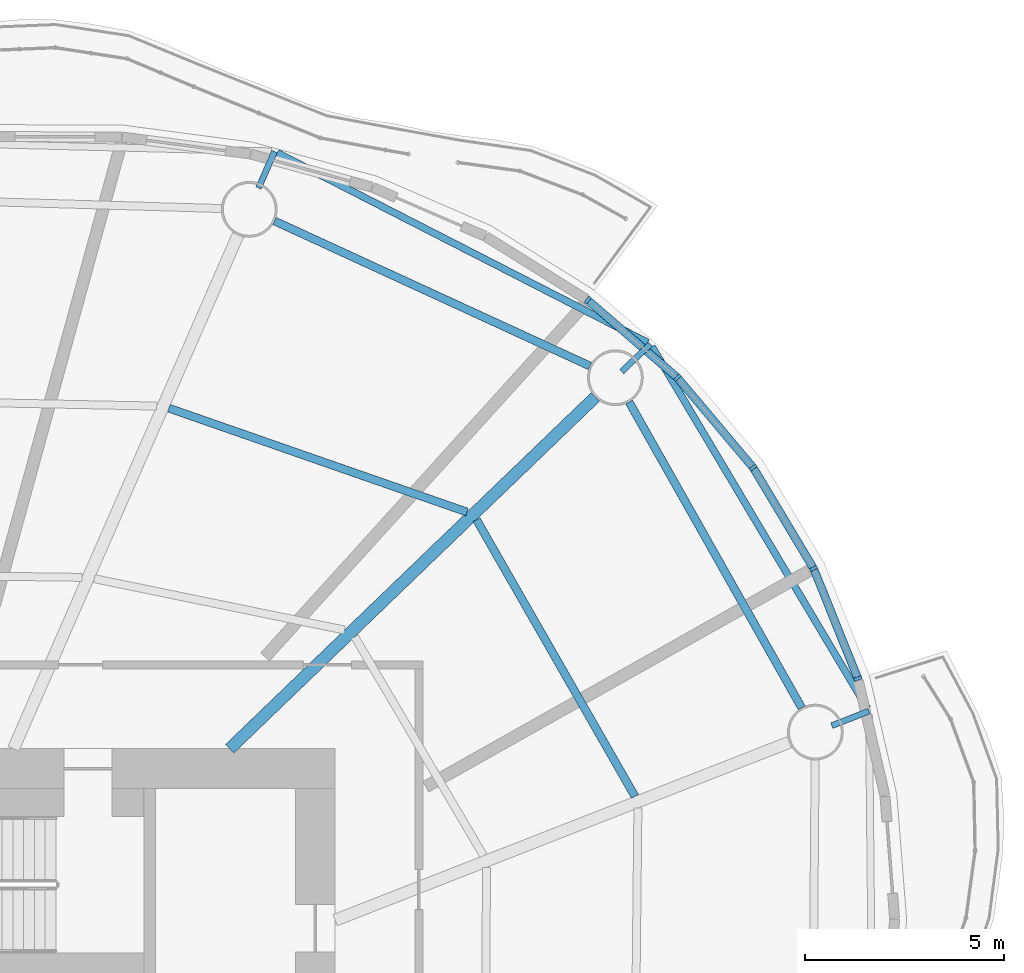
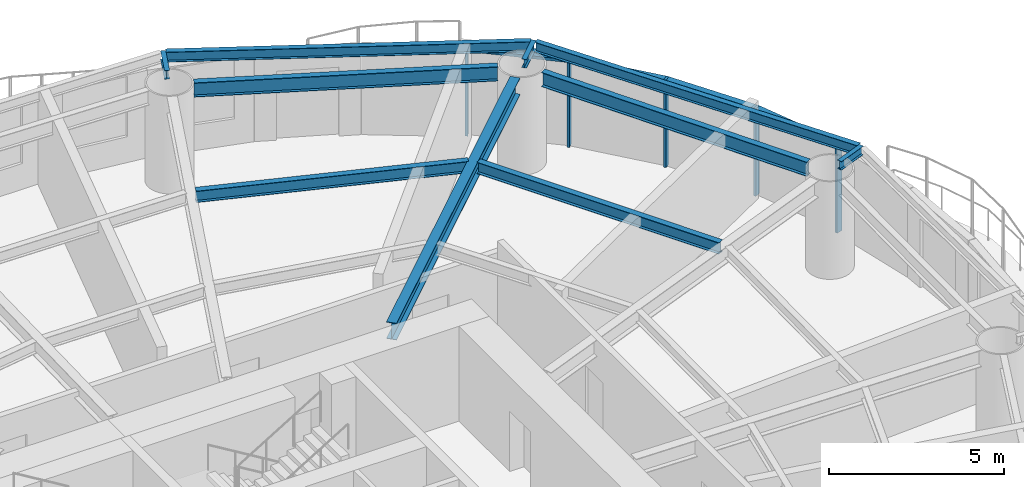
# One storey, part 6 of 15: 10 beams, 9 members, 4 elements without a shape of their own.
"""IFC4 building model written with IfcOpenShell, lengths in metres."""

import ifcopenshell
import ifcopenshell.guid

model = None  # the IFC model being written
_history = None  # IfcOwnerHistory: only IFC2X3 demands one
_inside = {}  # id of a spatial element -> (the spatial element, [elements in it])
_under = {}  # id of a project, library or spatial element -> (it, [spatial elements below it])
_declared = {}  # id of a project -> (the project, [libraries it declares])
_typed = {}  # id of a type object -> (the type object, [elements of that type])
_made_of = {}  # id of a material, layer set ... -> (it, [elements and type objects made of it])


def new_model(schema):
    """Start an empty IFC model of exactly this schema.

    Asked for "IFC4X3", IfcOpenShell would pick the latest addendum, in which some entities
    have other attributes; the version numbers below select the first issue.
    IFC2X3 requires an IfcOwnerHistory on every rooted entity: one is made here for all.
    """
    global model, _history
    if schema == "IFC4X3":
        model = ifcopenshell.file(schema_version=(4, 3, 0, 0))
    else:
        model = ifcopenshell.file(schema=schema)
    _inside.clear()
    _under.clear()
    _declared.clear()
    _typed.clear()
    _made_of.clear()
    _history = None
    if model.schema == "IFC2X3":
        org = make("IfcOrganization", Name="unknown")
        user = make(
            "IfcPersonAndOrganization",
            ThePerson=make("IfcPerson", FamilyName="unknown"),
            TheOrganization=org,
        )
        app = make(
            "IfcApplication",
            ApplicationDeveloper=org,
            Version="unknown",
            ApplicationFullName="unknown",
            ApplicationIdentifier="unknown",
        )
        _history = make(
            "IfcOwnerHistory",
            OwningUser=user,
            OwningApplication=app,
            ChangeAction="ADDED",
            CreationDate=0,
        )
    return model


def make(cls, **values):
    """One entity of the class cls with the attributes given. An attribute that is None is left unset."""
    return model.create_entity(
        cls, **{name: value for name, value in values.items() if value is not None}
    )


def rooted(cls, **values):
    """An entity with a GlobalId (a new one), such as an element, a storey or a relation."""
    return make(cls, GlobalId=ifcopenshell.guid.new(), OwnerHistory=_history, **values)


def si_unit(unit_type, name, prefix=None):
    """IfcSIUnit, for example si_unit("LENGTHUNIT", "METRE", prefix="MILLI")."""
    return make("IfcSIUnit", UnitType=unit_type, Prefix=prefix, Name=name)


def assignment(units):
    """IfcUnitAssignment: the units of a project."""
    return None if units is None else make("IfcUnitAssignment", Units=units)


def point(xyz):
    """IfcCartesianPoint."""
    return None if xyz is None else make("IfcCartesianPoint", Coordinates=xyz)


def direction(xyz):
    """IfcDirection."""
    return None if xyz is None else make("IfcDirection", DirectionRatios=xyz)


def frame(location, z_axis=None, x_axis=None):
    """IfcAxis2Placement3D, a coordinate frame: its origin and axes. An axis left out is left unset."""
    return make(
        "IfcAxis2Placement3D",
        Location=point(location),
        Axis=direction(z_axis),
        RefDirection=direction(x_axis),
    )


def frame_2d(location, x_axis=None):
    """IfcAxis2Placement2D, a coordinate frame in the plane: its origin and x axis."""
    return make(
        "IfcAxis2Placement2D", Location=point(location), RefDirection=direction(x_axis)
    )


def origin():
    """The frame at (0, 0, 0) with its axes left unset."""
    return frame((0.0, 0.0, 0.0))


def origin_2d():
    """The frame at (0, 0) in the plane with its x axis left unset."""
    return frame_2d((0.0, 0.0))


def place(relative_to, where):
    """IfcLocalPlacement: puts the frame where relative to a parent placement (None: the world)."""
    return make(
        "IfcLocalPlacement", PlacementRelTo=relative_to, RelativePlacement=where
    )


def context(
    kind, dimensions, precision=None, world=None, true_north=None, identifier=None
):
    """IfcGeometricRepresentationContext, for example the 3D "Model" context."""
    return make(
        "IfcGeometricRepresentationContext",
        ContextIdentifier=identifier,
        ContextType=kind,
        CoordinateSpaceDimension=dimensions,
        Precision=precision,
        WorldCoordinateSystem=world,
        TrueNorth=true_north,
    )


def subcontext(parent, identifier, kind, view, scale=None):
    """IfcGeometricRepresentationSubContext, for example "Body" below "Model"."""
    return make(
        "IfcGeometricRepresentationSubContext",
        ContextIdentifier=identifier,
        ContextType=kind,
        ParentContext=parent,
        TargetScale=scale,
        TargetView=view,
    )


def project(units=None, contexts=None):
    """IfcProject with its units and contexts."""
    return rooted(
        "IfcProject",
        Name="project",
        RepresentationContexts=contexts,
        UnitsInContext=assignment(units),
    )


def spatial(cls, under=None, at=None, **own):
    """A site, building, storey or space (cls), placed at a placement, below another one or the project."""
    s = rooted(cls, ObjectPlacement=at, **own)
    if under is not None:
        _under.setdefault(under.id(), (under, []))[1].append(s)
    return s


def profile(cls, at=None, kind="AREA", **sizes):
    """A parametric profile (cls). Its sizes go by their IFC names, for example OverallWidth=200.0."""
    return make(cls, ProfileType=kind, Position=at, **sizes)


def rectangle(**sizes):
    """IfcRectangleProfileDef."""
    return profile("IfcRectangleProfileDef", **sizes)


def i_section(**sizes):
    """IfcIShapeProfileDef."""
    return profile("IfcIShapeProfileDef", **sizes)


def extrude(swept, where, along, depth):
    """IfcExtrudedAreaSolid: the profile swept, set in the frame where, extruded along a direction by depth."""
    return make(
        "IfcExtrudedAreaSolid",
        SweptArea=swept,
        Position=where,
        ExtrudedDirection=direction(along),
        Depth=depth,
    )


def shape(context_of_items, identifier, shape_type, items):
    """IfcShapeRepresentation: the items that make up one representation, for example the "Body"."""
    return make(
        "IfcShapeRepresentation",
        ContextOfItems=context_of_items,
        RepresentationIdentifier=identifier,
        RepresentationType=shape_type,
        Items=items,
    )


def material(Name=None, Category=None):
    """IfcMaterial."""
    return make("IfcMaterial", Name=Name, Category=Category)


def material_profile(
    of_material, cross_section, Name=None, Category=None, Priority=None
):
    """IfcMaterialProfile: a cross section and its material."""
    return make(
        "IfcMaterialProfile",
        Name=Name,
        Material=of_material,
        Profile=cross_section,
        Priority=Priority,
        Category=Category,
    )


def profile_set(profiles, Name=None, composite=None):
    """IfcMaterialProfileSet."""
    return make(
        "IfcMaterialProfileSet",
        Name=Name,
        MaterialProfiles=profiles,
        CompositeProfile=composite,
    )


def made_of(thing, what):
    """Note that an element or type object is made of a material, layer set ...; save() writes the relation."""
    if what is not None:
        _made_of.setdefault(what.id(), (what, []))[1].append(thing)
    return thing


def type_object(cls, material=None, **own):
    """A type object (cls), such as IfcWallType, which elements share."""
    return made_of(rooted(cls, **own), material)


def element(
    cls,
    number,
    at=None,
    inside=None,
    cuts=None,
    type_object=None,
    material=None,
    context=None,
    identifier="Body",
    shape_type=None,
    held_by="IfcProductDefinitionShape",
    body=None,
    shapes=None,
    **own,
):
    """One element of the class cls, such as IfcWall. Its Tag is "e" and its number.

    at: its placement. inside: the storey or other place that contains it. cuts: it is an
    opening in that element (IfcRelVoidsElement). A single representation is given by context,
    identifier, shape_type and body (its items); several are given by shapes. held_by: the class
    of the entity that holds the representations. save() writes the other relations.
    """
    e = rooted(cls, Tag="e%d" % number, ObjectPlacement=at, **own)
    if body is not None:
        shapes = [shape(context, identifier, shape_type, body)]
    if shapes is not None:
        e.Representation = make(held_by, Representations=shapes)
    if inside is not None:
        _inside.setdefault(inside.id(), (inside, []))[1].append(e)
    if cuts is not None:
        rooted(
            "IfcRelVoidsElement", RelatingBuildingElement=cuts, RelatedOpeningElement=e
        )
    if type_object is not None:
        _typed.setdefault(type_object.id(), (type_object, []))[1].append(e)
    return made_of(e, material)


def aggregate(whole, parts):
    """IfcRelAggregates: a whole, such as a stair, and the parts it consists of."""
    return rooted("IfcRelAggregates", RelatingObject=whole, RelatedObjects=parts)


def save(model, path):
    """Write the relations noted so far, then the file.

    IfcRelAggregates (storeys below a building ...), IfcRelContainedInSpatialStructure (elements
    in a storey), IfcRelDefinesByType, IfcRelAssociatesMaterial and IfcRelDeclares: one each for
    every whole, place, type object, material and project.
    """
    for whole, parts in _under.values():
        aggregate(whole, parts)
    for where, things in _inside.values():
        rooted(
            "IfcRelContainedInSpatialStructure",
            RelatedElements=things,
            RelatingStructure=where,
        )
    for kind, things in _typed.values():
        rooted("IfcRelDefinesByType", RelatedObjects=things, RelatingType=kind)
    for what, things in _made_of.values():
        rooted("IfcRelAssociatesMaterial", RelatedObjects=things, RelatingMaterial=what)
    for by, libraries in _declared.values():
        rooted("IfcRelDeclares", RelatingContext=by, RelatedDefinitions=libraries)
    model.write(path)


model = new_model("IFC4")

# Units and contexts
model_context = context("Model", 3, precision=1e-05, world=origin(), true_north=direction((0.0, 1.0)))
body_context = subcontext(model_context, "Body", "Model", "MODEL_VIEW")
ifc_project = project(units=[si_unit("LENGTHUNIT", "METRE"), si_unit("AREAUNIT", "SQUARE_METRE"), si_unit("VOLUMEUNIT", "CUBIC_METRE"), si_unit("PLANEANGLEUNIT", "RADIAN"), si_unit("MASSUNIT", "GRAM", prefix="KILO")], contexts=[model_context])

# Site, building, storey
site_placement = place(None, origin())
site = spatial("IfcSite", under=ifc_project, at=site_placement, CompositionType="ELEMENT")
building_placement = place(site_placement, origin())
building = spatial("IfcBuilding", under=site, at=building_placement, Name="Vermilion Reach Broadcast Tower", CompositionType="ELEMENT")
storey_placement = place(building_placement, frame((0.0, 0.0, 175.800048828125)))
storey = spatial("IfcBuildingStorey", under=building, at=storey_placement, Name="L42", CompositionType="ELEMENT", Elevation=175.800048828125)

# Beams
ifc_material_1 = material(Name="Steel S355J2", Category="steel")
ifc_material_profile_1 = material_profile(ifc_material_1, i_section(OverallWidth=0.175048828125, OverallDepth=0.35009765625, WebThickness=0.007080078125, FlangeThickness=0.010986328125, at=origin_2d()), Name="S355J2 HN 350x175x7x11")
ifc_profile_set_1 = profile_set([ifc_material_profile_1], Name="Steel S355J2")
beam_type_1 = type_object("IfcBeamType", Name="EB3 HN 350x175x7x11", PredefinedType="BEAM", material=ifc_profile_set_1)
beam_1_placement = place(storey_placement, frame((13.834228515625, 19.184326171875, 3.224853515625), z_axis=(-0.890033177094, 0.455895759656, 0.0), x_axis=(-0.455895759656, -0.890033177094, 0.0)))
element("IfcBeam", 1, at=beam_1_placement, inside=storey, type_object=beam_type_1, Name="Edge beam EB3-01", PredefinedType="BEAM", context=body_context, shape_type="SweptSolid", body=[
    extrude(i_section(OverallWidth=0.175048828125, OverallDepth=0.35009765625, WebThickness=0.007080078125, FlangeThickness=0.010986328125, at=origin_2d()), origin(), (0.0, 0.0, 1.0), 10.43505859375),
])
beam_2_placement = place(storey_placement, frame((19.345458984375, 10.00830078125, 3.224853515625), z_axis=(-0.511490363244, 0.859289013259, 0.0), x_axis=(-0.859289013259, -0.511490363244, 0.0)))
element("IfcBeam", 2, at=beam_2_placement, inside=storey, type_object=beam_type_1, Name="Edge beam EB3-16", PredefinedType="BEAM", context=body_context, shape_type="SweptSolid", body=[
    extrude(i_section(OverallWidth=0.175048828125, OverallDepth=0.35009765625, WebThickness=0.007080078125, FlangeThickness=0.010986328125, at=origin_2d()), origin(), (0.0, 0.0, 1.0), 10.5595703125),
])
ifc_material_2 = material(Name="Steel S355J2", Category="steel")
ifc_material_profile_2 = material_profile(ifc_material_2, i_section(OverallWidth=0.300048828125, OverallDepth=0.587890625, WebThickness=0.011962890625, FlangeThickness=0.02001953125, at=origin_2d()), Name="S355J2 HM 588x300x12x20")
ifc_profile_set_2 = profile_set([ifc_material_profile_2], Name="Steel S355J2")
beam_type_2 = type_object("IfcBeamType", Name="G3 HM 588x300x12x20", PredefinedType="BEAM", material=ifc_profile_set_2)
beam_3_placement = place(storey_placement, frame((3.355712890625, 9.0, 3.10595703125), z_axis=(0.720670374476, 0.693277874559, 0.0), x_axis=(-0.693277874559, 0.720670374476, 0.0)))
element("IfcBeam", 3, at=beam_3_placement, inside=storey, type_object=beam_type_2, Name="Girder G3-01", PredefinedType="BEAM", context=body_context, shape_type="SweptSolid", body=[
    extrude(i_section(OverallWidth=0.300048828125, OverallDepth=0.587890625, WebThickness=0.011962890625, FlangeThickness=0.02001953125, at=origin_2d()), origin(), (0.0, 0.0, 1.0), 12.718505859375),
])
ifc_material_3 = material(Name="Steel S355J2", Category="steel")
ifc_material_profile_3 = material_profile(ifc_material_3, i_section(OverallWidth=0.14990234375, OverallDepth=0.300048828125, WebThickness=0.006591796875, FlangeThickness=0.009033203125, at=origin_2d()), Name="S355J2 HN 300x150x6.5x9")
ifc_profile_set_3 = profile_set([ifc_material_profile_3], Name="Steel S355J2")
beam_type_3 = type_object("IfcBeamType", Name="GS3 HN 300x150x6.5x9", PredefinedType="BEAM", material=ifc_profile_set_3)
for number, where, z_axis, x_axis, name in (
    (4, (13.18408203125, 18.454833984375, 3.25), (0.720645397388, 0.693303837595, 0.0), (-0.693303837595, 0.720645397388, 0.0), "Cantilever stub GS3-01"),
    (5, (4.079345703125, 23.0595703125, 3.25), (0.400421736837, 0.916330962408, 0.0), (-0.916330962408, 0.400421736837, 0.0), "Cantilever stub GS3-02"),
    (6, (18.453369140625, 9.578125, 3.25), (0.931113051526, 0.364730702407, 0.0), (-0.364730702407, 0.931113051526, 0.0), "Cantilever stub GS3-16"),
):
    element("IfcBeam", number, at=place(storey_placement, frame(where, z_axis=z_axis, x_axis=x_axis)), inside=storey, type_object=beam_type_3, Name=name, PredefinedType="BEAM", context=body_context, shape_type="SweptSolid", body=[
        extrude(i_section(OverallWidth=0.14990234375, OverallDepth=0.300048828125, WebThickness=0.006591796875, FlangeThickness=0.009033203125, at=origin_2d()), origin(), (0.0, 0.0, 1.0), 1.0),
    ])
ifc_material_4 = material(Name="Steel S355J2", Category="steel")
ifc_material_profile_4 = material_profile(ifc_material_4, i_section(OverallWidth=0.199951171875, OverallDepth=0.5, WebThickness=0.010009765625, FlangeThickness=0.01611328125, at=origin_2d()), Name="S355J2 HN 500x200x10x16")
ifc_profile_set_4 = profile_set([ifc_material_profile_4], Name="Steel S355J2")
beam_type_4 = type_object("IfcBeamType", Name="RB3 HN 500x200x10x16", PredefinedType="BEAM", material=ifc_profile_set_4)
beam_4_placement = place(storey_placement, frame((12.389892578125, 18.594970703125, 3.14990234375), z_axis=(-0.908546241769, 0.417784306272, 0.0), x_axis=(-0.417784306272, -0.908546241769, 0.0)))
element("IfcBeam", 7, at=beam_4_placement, inside=storey, type_object=beam_type_4, Name="Ring beam RB3-01", PredefinedType="BEAM", context=body_context, shape_type="SweptSolid", body=[
    extrude(i_section(OverallWidth=0.199951171875, OverallDepth=0.5, WebThickness=0.010009765625, FlangeThickness=0.01611328125, at=origin_2d()), origin(), (0.0, 0.0, 1.0), 8.704833984375),
])
beam_5_placement = place(storey_placement, frame((17.696533203125, 10.026123046875, 3.14990234375), z_axis=(-0.491466825026, 0.870896296869, 0.0), x_axis=(-0.870896296869, -0.491466825026, 0.0)))
element("IfcBeam", 8, at=beam_5_placement, inside=storey, type_object=beam_type_4, Name="Ring beam RB3-16", PredefinedType="BEAM", context=body_context, shape_type="SweptSolid", body=[
    extrude(i_section(OverallWidth=0.199951171875, OverallDepth=0.5, WebThickness=0.010009765625, FlangeThickness=0.01611328125, at=origin_2d()), origin(), (0.0, 0.0, 1.0), 8.803466796875),
])
ifc_material_5 = material(Name="Steel S355J2", Category="steel")
ifc_material_profile_5 = material_profile(ifc_material_5, i_section(OverallWidth=0.199951171875, OverallDepth=0.39990234375, WebThickness=0.008056640625, FlangeThickness=0.012939453125, at=origin_2d()), Name="S355J2 HN 400x200x8x13")
ifc_profile_set_5 = profile_set([ifc_material_profile_5], Name="Steel S355J2")
beam_type_5 = type_object("IfcBeamType", Name="SB3 HN 400x200x8x13", PredefinedType="BEAM", material=ifc_profile_set_5)
beam_6_placement = place(storey_placement, frame((9.307373046875, 14.93359375, 3.199951171875), z_axis=(-0.94431696779, 0.329037177754, 0.0), x_axis=(-0.329037177754, -0.94431696779, 0.0)))
element("IfcBeam", 9, at=beam_6_placement, inside=storey, type_object=beam_type_5, Name="Secondary beam SB3-01-2", PredefinedType="BEAM", context=body_context, shape_type="SweptSolid", body=[
    extrude(i_section(OverallWidth=0.199951171875, OverallDepth=0.39990234375, WebThickness=0.008056640625, FlangeThickness=0.012939453125, at=origin_2d()), origin(), (0.0, 0.0, 1.0), 7.91845703125),
])
beam_7_placement = place(storey_placement, frame((13.51708984375, 7.805908203125, 3.199951171875), z_axis=(-0.497026503115, 0.867735360119, 0.0), x_axis=(-0.867735360119, -0.497026503115, 0.0)))
element("IfcBeam", 10, at=beam_7_placement, inside=storey, type_object=beam_type_5, Name="Secondary beam SB3-16-2", PredefinedType="BEAM", context=body_context, shape_type="SweptSolid", body=[
    extrude(i_section(OverallWidth=0.199951171875, OverallDepth=0.39990234375, WebThickness=0.008056640625, FlangeThickness=0.012939453125, at=origin_2d()), origin(), (0.0, 0.0, 1.0), 7.995849609375),
])

# Curtain wall, member
ifc_material_6 = material(Name="Low-e laminated clear glass in aluminium frame", Category="aluminium")
curtain_wall_type = type_object("IfcCurtainWallType", Name="Slot curtain wall", PredefinedType="NOTDEFINED", material=ifc_material_6)
placement = place(storey_placement, origin())
curtain_wall_1 = element("IfcCurtainWall", 11, at=placement, inside=storey, type_object=curtain_wall_type, Name="Slot curtain wall L42 46", PredefinedType="NOTDEFINED")
ifc_material_7 = material(Name="Anodised aluminium", Category="aluminium")
ifc_material_profile_6 = material_profile(ifc_material_7, rectangle(XDim=0.199951171875, YDim=0.080078125, at=origin_2d()), Name="Slot mullion 80 x 200")
ifc_profile_set_6 = profile_set([ifc_material_profile_6], Name="Anodised aluminium")
member_type_1 = type_object("IfcMemberType", Name="Slot mullion 80 x 200", PredefinedType="MULLION", material=ifc_profile_set_6)
member_1_placement = place(storey_placement, frame((19.104736328125, 10.75927734375, 0.0), z_axis=(0.0, 0.0, 1.0), x_axis=(-0.953997027268, -0.299816063551, 0.0)))
member_1 = element("IfcMember", 12, at=member_1_placement, type_object=member_type_1, Name="Slot mullion L42 46", PredefinedType="MULLION", context=body_context, shape_type="SweptSolid", body=[
    extrude(rectangle(XDim=0.199951171875, YDim=0.080078125, at=origin_2d()), origin(), (0.0, 0.0, 1.0), 3.050048828125),
])

curtain_wall_2 = element("IfcCurtainWall", 13, at=placement, inside=storey, type_object=curtain_wall_type, Name="Slot curtain wall L42 47", PredefinedType="NOTDEFINED")
member_2_placement = place(storey_placement, frame((17.996826171875, 13.518798828125, 0.0), z_axis=(0.0, 0.0, 1.0), x_axis=(-0.895625500713, -0.444808905568, 0.0)))
member_2 = element("IfcMember", 14, at=member_2_placement, type_object=member_type_1, Name="Slot mullion L42 47", PredefinedType="MULLION", context=body_context, shape_type="SweptSolid", body=[
    extrude(rectangle(XDim=0.199951171875, YDim=0.080078125, at=origin_2d()), origin(), (0.0, 0.0, 1.0), 3.050048828125),
])

curtain_wall_3 = element("IfcCurtainWall", 15, at=placement, inside=storey, type_object=curtain_wall_type, Name="Slot curtain wall L42 00", PredefinedType="NOTDEFINED")
member_3_placement = place(storey_placement, frame((16.480712890625, 16.04736328125, 0.0), z_axis=(0.0, 0.0, 1.0), x_axis=(-0.813912806796, -0.580987041967, 0.0)))
member_3 = element("IfcMember", 16, at=member_3_placement, type_object=member_type_1, Name="Slot mullion L42 00", PredefinedType="MULLION", context=body_context, shape_type="SweptSolid", body=[
    extrude(rectangle(XDim=0.199951171875, YDim=0.080078125, at=origin_2d()), origin(), (0.0, 0.0, 1.0), 3.050048828125),
])

# Curtain wall, members
curtain_wall_4 = element("IfcCurtainWall", 17, at=placement, inside=storey, type_object=curtain_wall_type, Name="Slot curtain wall L42 01", PredefinedType="NOTDEFINED")
member_4_placement = place(storey_placement, frame((14.58203125, 18.302490234375, 0.0), z_axis=(0.0, 0.0, 1.0), x_axis=(-0.711671990024, -0.702511906387, 0.0)))
member_4 = element("IfcMember", 18, at=member_4_placement, type_object=member_type_1, Name="Slot mullion L42 01", PredefinedType="MULLION", context=body_context, shape_type="SweptSolid", body=[
    extrude(rectangle(XDim=0.199951171875, YDim=0.080078125, at=origin_2d()), origin(), (0.0, 0.0, 1.0), 3.050048828125),
])
member_5_placement = place(storey_placement, frame((12.332275390625, 20.2470703125, 0.0), z_axis=(0.0, 0.0, 1.0), x_axis=(-0.593510982234, -0.804825890468, 0.0)))
member_5 = element("IfcMember", 19, at=member_5_placement, type_object=member_type_1, Name="Slot mullion L42 02", PredefinedType="MULLION", context=body_context, shape_type="SweptSolid", body=[
    extrude(rectangle(XDim=0.199951171875, YDim=0.080078125, at=origin_2d()), origin(), (0.0, 0.0, 1.0), 3.050048828125),
])

# Member
ifc_material_8 = material(Name="Anodised aluminium", Category="aluminium")
ifc_material_profile_7 = material_profile(ifc_material_8, rectangle(XDim=0.199951171875, YDim=0.10009765625, at=origin_2d()), Name="Slot transom 200 x 100")
ifc_profile_set_7 = profile_set([ifc_material_profile_7], Name="Anodised aluminium")
member_type_2 = type_object("IfcMemberType", Name="Slot transom 200 x 100", PredefinedType="USERDEFINED", material=ifc_profile_set_7)
member_6_placement = place(storey_placement, frame((19.08984375, 10.79638671875, 3.0), z_axis=(-0.37258320402, 0.927998790992, 0.0), x_axis=(-0.927998790992, -0.37258320402, 0.0)))
member_6 = element("IfcMember", 20, at=member_6_placement, type_object=member_type_2, Name="Slot transom L42 46.1", ObjectType="TRANSOM", PredefinedType="USERDEFINED", context=body_context, shape_type="SweptSolid", body=[
    extrude(rectangle(XDim=0.199951171875, YDim=0.10009765625, at=origin_2d()), origin(), (0.0, 0.0, 1.0), 2.8935546875),
])

aggregate(curtain_wall_1, [member_1, member_6])

member_7_placement = place(storey_placement, frame((17.976318359375, 13.552978515625, 3.0), z_axis=(-0.514207821721, 0.857665620205, 0.0), x_axis=(-0.857665620205, -0.514207821721, 0.0)))
member_7 = element("IfcMember", 21, at=member_7_placement, type_object=member_type_2, Name="Slot transom L42 47.1", ObjectType="TRANSOM", PredefinedType="USERDEFINED", context=body_context, shape_type="SweptSolid", body=[
    extrude(rectangle(XDim=0.199951171875, YDim=0.10009765625, at=origin_2d()), origin(), (0.0, 0.0, 1.0), 2.8681640625),
])

aggregate(curtain_wall_2, [member_2, member_7])

member_8_placement = place(storey_placement, frame((16.455078125, 16.077880859375, 3.0), z_axis=(-0.644036131929, 0.764995072383, 0.0), x_axis=(-0.764995072383, -0.644036131929, 0.0)))
member_8 = element("IfcMember", 22, at=member_8_placement, type_object=member_type_2, Name="Slot transom L42 00.1", ObjectType="TRANSOM", PredefinedType="USERDEFINED", context=body_context, shape_type="SweptSolid", body=[
    extrude(rectangle(XDim=0.199951171875, YDim=0.10009765625, at=origin_2d()), origin(), (0.0, 0.0, 1.0), 2.8681640625),
])

aggregate(curtain_wall_3, [member_3, member_8])

member_9_placement = place(storey_placement, frame((14.5517578125, 18.328857421875, 3.0), z_axis=(-0.756623759011, 0.653850508373, 0.0), x_axis=(-0.653850508373, -0.756623759011, 0.0)))
member_9 = element("IfcMember", 23, at=member_9_placement, type_object=member_type_2, Name="Slot transom L42 01.1", ObjectType="TRANSOM", PredefinedType="USERDEFINED", context=body_context, shape_type="SweptSolid", body=[
    extrude(rectangle(XDim=0.199951171875, YDim=0.10009765625, at=origin_2d()), origin(), (0.0, 0.0, 1.0), 2.893310546875),
])

aggregate(curtain_wall_4, [member_4, member_5, member_9])

save(model, "model.ifc")
